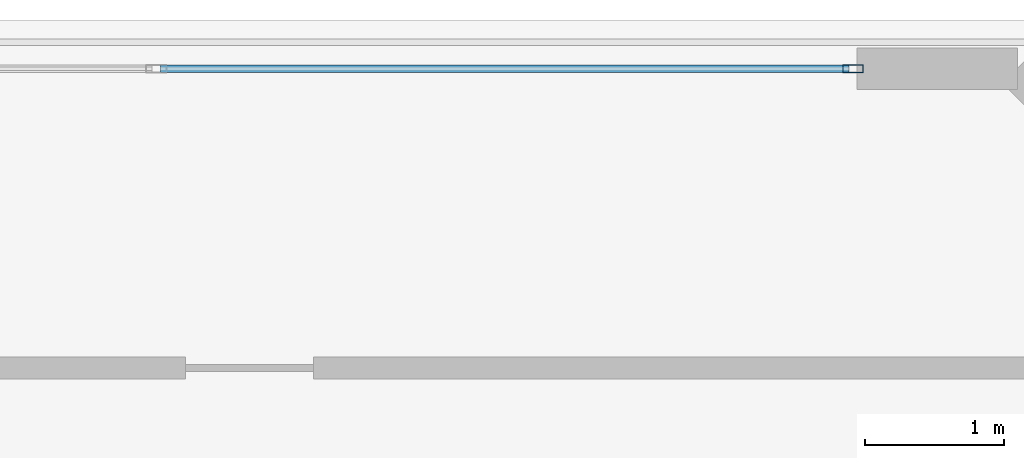
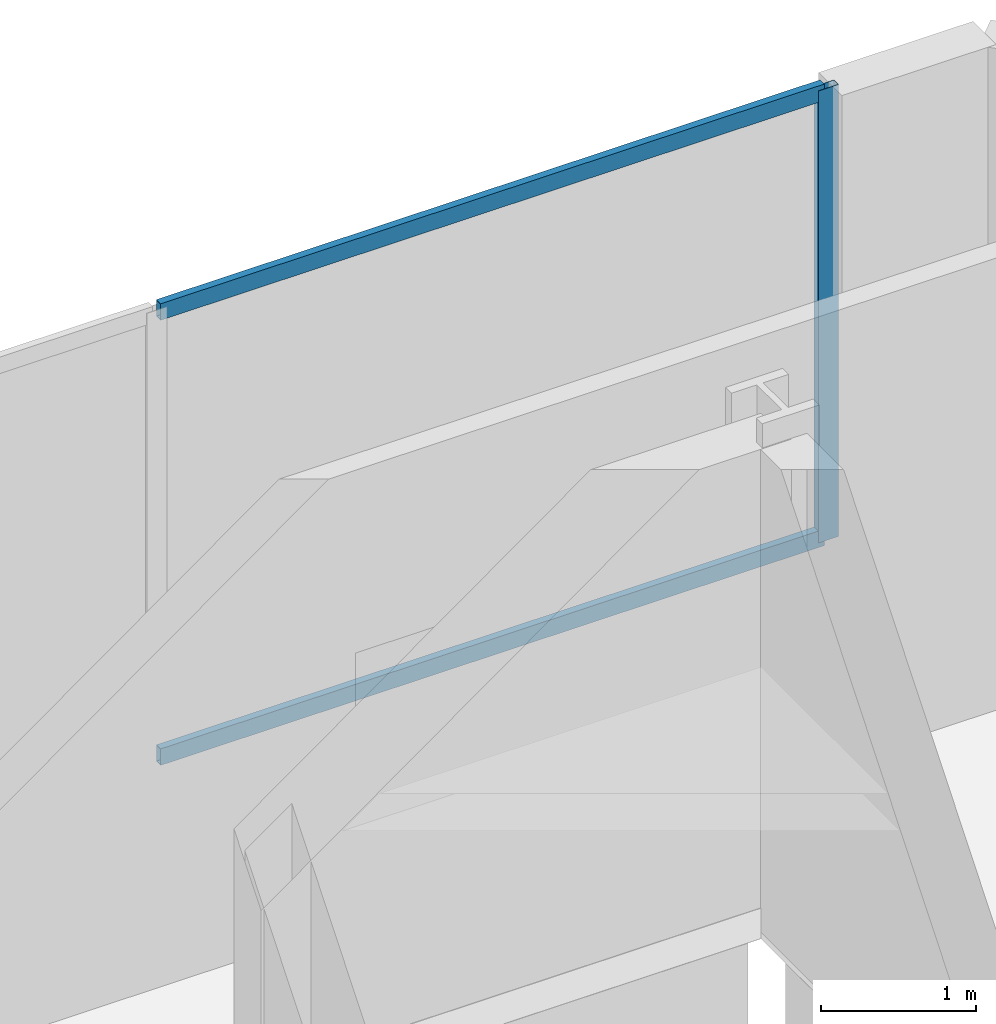
# One storey, part 9 of 12: 3 members, 1 element without a shape of its own.
"""IFC4 building model written with IfcOpenShell, lengths in metres."""

from ifc_helpers import new_model, si_unit, direction, frame, origin, origin_2d, place, context, subcontext, project, spatial, hollow_rectangle, extrude, material, layer, layer_set, material_profile, profile_set, type_object, element, aggregate, save


model = new_model("IFC4")

# Units and contexts
model_context = context("Model", 3, precision=1e-05, world=origin(), true_north=direction((0.0, 1.0)))
body_context = subcontext(model_context, "Body", "Model", "MODEL_VIEW")
ifc_project = project(units=[si_unit("LENGTHUNIT", "METRE"), si_unit("AREAUNIT", "SQUARE_METRE"), si_unit("VOLUMEUNIT", "CUBIC_METRE"), si_unit("PLANEANGLEUNIT", "RADIAN"), si_unit("MASSUNIT", "GRAM", prefix="KILO")], contexts=[model_context])

# Site, building, storey
site_placement = place(None, origin())
site = spatial("IfcSite", under=ifc_project, at=site_placement, CompositionType="ELEMENT")
building_placement = place(site_placement, origin())
building = spatial("IfcBuilding", under=site, at=building_placement, Name="Zuhayl Quay Hotel", CompositionType="ELEMENT")
storey_placement = place(building_placement, frame((0.0, 0.0, 312.449951171875)))
storey = spatial("IfcBuildingStorey", under=building, at=storey_placement, Name="Crown 5", CompositionType="ELEMENT", Elevation=312.449951171875)

# Curtain wall, members
ifc_material_1 = material(Name="Anodised Aluminium 6063-T6", Category="aluminium")
ifc_layer = layer(ifc_material_1, 0.159912109375, Name="Anodised Aluminium 6063-T6", Category="aluminium")
ifc_layer_set = layer_set([ifc_layer], Name="Anodised Aluminium 6063-T6")
curtain_wall_type = type_object("IfcCurtainWallType", Name="CW_SYS_CRN", PredefinedType="USERDEFINED", material=ifc_layer_set)
curtain_wall_placement = place(storey_placement, origin())
curtain_wall = element("IfcCurtainWall", 1, at=curtain_wall_placement, inside=storey, type_object=curtain_wall_type, Name="Crown 5 Curtain Wall ENV_CR5_E3_CW1", ObjectType="UNITISED CURTAIN WALL", PredefinedType="USERDEFINED")
ifc_material_2 = material(Name="Black-anodised aluminium 6063-T6", Category="aluminium")
ifc_material_profile_1 = material_profile(ifc_material_2, hollow_rectangle(XDim=0.06005859375, YDim=0.14990234375, WallThickness=0.00341796875, at=origin_2d()), Name="ALU150X60")
ifc_profile_set_1 = profile_set([ifc_material_profile_1], Name="Black-anodised aluminium 6063-T6")
member_type_1 = type_object("IfcMemberType", Name="MB_CW_MUL_150", PredefinedType="MULLION", material=ifc_profile_set_1)
member_1_placement = place(storey_placement, frame((3.820068359375, 37.60009765625, 0.0), z_axis=(0.0, 0.0, 1.0), x_axis=(0.0, 1.0, 0.0)))
member_1 = element("IfcMember", 2, at=member_1_placement, type_object=member_type_1, Name="CW-CRN mullion 4", PredefinedType="MULLION", context=body_context, shape_type="SweptSolid", body=[
    extrude(hollow_rectangle(XDim=0.06005859375, YDim=0.14990234375, WallThickness=0.00341796875, at=origin_2d()), origin(), (0.0, 0.0, 1.0), 3.56005859375),
])
ifc_material_profile_2 = material_profile(ifc_material_2, hollow_rectangle(XDim=0.054931640625, YDim=0.1298828125, WallThickness=0.0029296875, at=origin_2d()), Name="ALU130X55")
ifc_profile_set_2 = profile_set([ifc_material_profile_2], Name="Black-anodised aluminium 6063-T6")
member_type_2 = type_object("IfcMemberType", Name="MB_CW_TRN_130", PredefinedType="USERDEFINED", material=ifc_profile_set_2)
member_2_placement = place(storey_placement, frame((-1.1533203125, 37.60009765625, 0.027587890625), z_axis=(1.0, 0.0, 0.0), x_axis=(0.0, 1.0, 0.0)))
member_2 = element("IfcMember", 3, at=member_2_placement, type_object=member_type_2, Name="CW-CRN transom 3.1", ObjectType="TRANSOM", PredefinedType="USERDEFINED", context=body_context, shape_type="SweptSolid", body=[
    extrude(hollow_rectangle(XDim=0.054931640625, YDim=0.1298828125, WallThickness=0.0029296875, at=origin_2d()), origin(), (0.0, 0.0, 1.0), 4.943359375),
])
member_3_placement = place(storey_placement, frame((-1.1533203125, 37.60009765625, 3.532470703125), z_axis=(1.0, 0.0, 0.0), x_axis=(0.0, 1.0, 0.0)))
member_3 = element("IfcMember", 4, at=member_3_placement, type_object=member_type_2, Name="CW-CRN transom 3.2", ObjectType="TRANSOM", PredefinedType="USERDEFINED", context=body_context, shape_type="SweptSolid", body=[
    extrude(hollow_rectangle(XDim=0.054931640625, YDim=0.1298828125, WallThickness=0.0029296875, at=origin_2d()), origin(), (0.0, 0.0, 1.0), 4.943359375),
])
aggregate(curtain_wall, [member_1, member_2, member_3])

save(model, "model.ifc")
